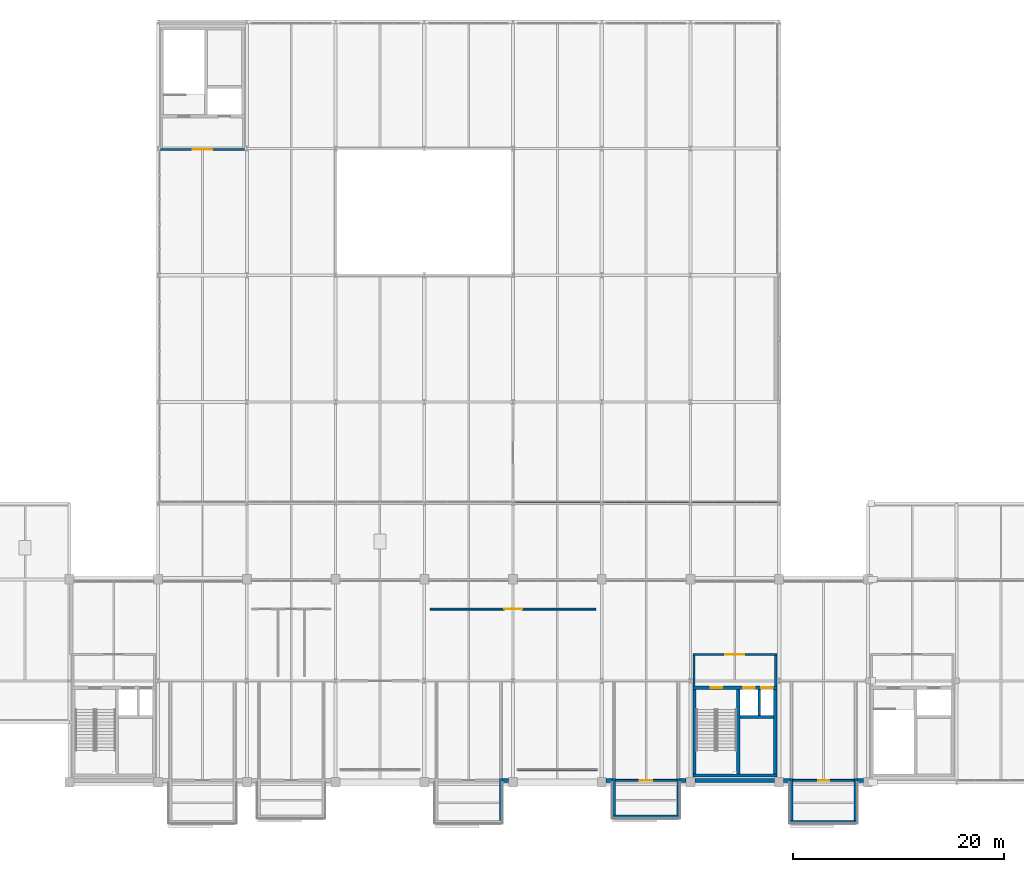
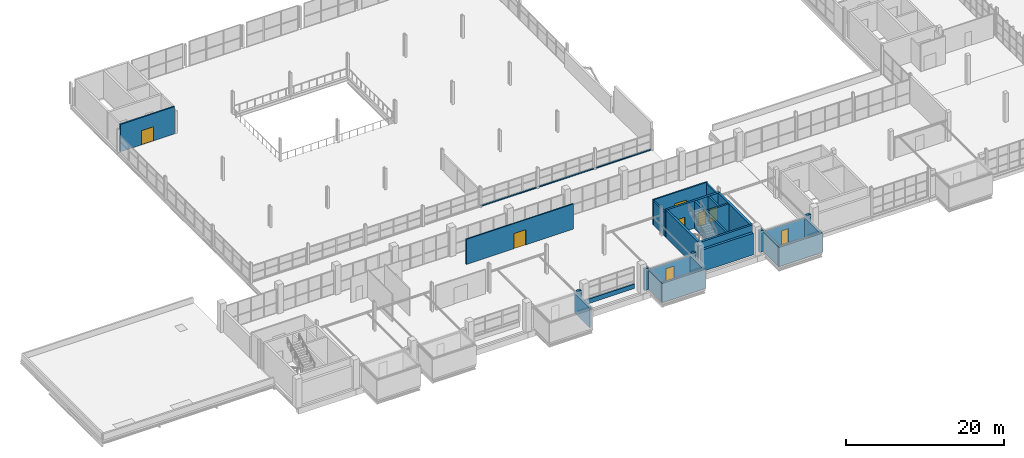
# One storey, part 93 of 103: 31 walls, 8 doors, 8 openings.
"""IFC4 building model written with IfcOpenShell, lengths in metres."""

from ifc_helpers import new_model, si_unit, direction, frame, frame_2d, origin, place, context, subcontext, project, spatial, rectangle, extrude, material, layer, layer_set, type_object, element, fill, save


model = new_model("IFC4")

# Units and contexts
model_context = context("Model", 3, precision=1e-05, world=origin(), true_north=direction((0.0, 1.0)))
body_context = subcontext(model_context, "Body", "Model", "MODEL_VIEW")
ifc_project = project(units=[si_unit("LENGTHUNIT", "METRE"), si_unit("AREAUNIT", "SQUARE_METRE"), si_unit("VOLUMEUNIT", "CUBIC_METRE"), si_unit("PLANEANGLEUNIT", "RADIAN"), si_unit("MASSUNIT", "GRAM", prefix="KILO")], contexts=[model_context])

# Site, building, storey
site_placement = place(None, origin())
site = spatial("IfcSite", under=ifc_project, at=site_placement, CompositionType="ELEMENT")
building_placement = place(site_placement, origin())
building = spatial("IfcBuilding", under=site, at=building_placement, Name="Veltarok Museum of Natural Sciences", CompositionType="ELEMENT")
storey_placement = place(building_placement, frame((0.0, 0.0, 21.89990234375)))
storey = spatial("IfcBuildingStorey", under=building, at=storey_placement, Name="L04", CompositionType="ELEMENT", Elevation=21.89990234375)

# Walls
ifc_material_1 = material(Name="Precast concrete C40/50", Category="concrete")
ifc_layer_1 = layer(ifc_material_1, 0.280029296875)
ifc_layer_set_1 = layer_set([ifc_layer_1], Name="Precast concrete C40/50")
wall_type_1 = type_object("IfcWallType", Name="Cabinet Box Insulated Backup Wall 280", PredefinedType="SOLIDWALL", material=ifc_layer_set_1)
wall_1_placement = place(storey_placement, frame((83.0, -3.260009765625, 0.0), z_axis=(0.0, 0.0, 1.0), x_axis=(1.0, 0.0, 0.0)))
element("IfcWall", 1, at=wall_1_placement, inside=storey, type_object=wall_type_1, Name="Cabinet Box Wall DB-22-S", PredefinedType="SOLIDWALL", context=body_context, shape_type="SweptSolid", body=[
    extrude(rectangle(XDim=6.39990234375, YDim=0.280029296875, at=frame_2d((3.199951171875, 0.0))), origin(), (0.0, 0.0, 1.0), 2.989990234375),
])
for number, where, z_axis, x_axis, name in (
    (2, (83.139892578125, 0.360107421875, 0.0), (0.0, 0.0, 1.0), (0.0, -1.0, 0.0), "Cabinet Box Wall DB-22-W"),
    (3, (89.260009765625, -3.1201171875, 0.0), (0.0, 0.0, 1.0), (0.0, 1.0, 0.0), "Cabinet Box Wall DB-22-E"),
):
    element("IfcWall", number, at=place(storey_placement, frame(where, z_axis=z_axis, x_axis=x_axis)), inside=storey, type_object=wall_type_1, Name=name, PredefinedType="SOLIDWALL", context=body_context, shape_type="SweptSolid", body=[
        extrude(rectangle(XDim=3.480224609375, YDim=0.280029296875, at=frame_2d((1.740234375, 0.0))), origin(), (0.0, 0.0, 1.0), 2.989990234375),
    ])
ifc_layer_2 = layer(ifc_material_1, 0.300048828125)
ifc_layer_set_2 = layer_set([ifc_layer_2], Name="Precast concrete C40/50")
wall_type_2 = type_object("IfcWallType", Name="Deep Cabinet Box Insulated Wall 300", PredefinedType="SOLIDWALL", material=ifc_layer_set_2)
wall_2_placement = place(storey_placement, frame((72.449951171875, -3.60009765625, 0.0), z_axis=(0.0, 0.0, 1.0), x_axis=(0.0, 1.0, 0.0)))
element("IfcWall", 4, at=wall_2_placement, inside=storey, type_object=wall_type_2, Name="Cabinet Box Wall DB-21-E", PredefinedType="SOLIDWALL", context=body_context, shape_type="SweptSolid", body=[
    extrude(rectangle(XDim=3.960205078125, YDim=0.300048828125, at=frame_2d((1.97998046875, 0.0))), origin(), (0.0, 0.0, 1.0), 2.989990234375),
])
wall_3_placement = place(storey_placement, frame((99.800048828125, -3.75, 0.0), z_axis=(0.0, 0.0, 1.0), x_axis=(1.0, 0.0, 0.0)))
element("IfcWall", 5, at=wall_3_placement, inside=storey, type_object=wall_type_2, Name="Cabinet Box Wall DB-23-S", PredefinedType="SOLIDWALL", context=body_context, shape_type="SweptSolid", body=[
    extrude(rectangle(XDim=6.39990234375, YDim=0.300048828125, at=frame_2d((3.199951171875, 0.0))), origin(), (0.0, 0.0, 1.0), 2.989990234375),
])
for number, where, z_axis, x_axis, name in (
    (6, (99.949951171875, 0.360107421875, 0.0), (0.0, 0.0, 1.0), (0.0, -1.0, 0.0), "Cabinet Box Wall DB-23-W"),
    (7, (106.050048828125, -3.60009765625, 0.0), (0.0, 0.0, 1.0), (0.0, 1.0, 0.0), "Cabinet Box Wall DB-23-E"),
):
    element("IfcWall", number, at=place(storey_placement, frame(where, z_axis=z_axis, x_axis=x_axis)), inside=storey, type_object=wall_type_2, Name=name, PredefinedType="SOLIDWALL", context=body_context, shape_type="SweptSolid", body=[
        extrude(rectangle(XDim=3.960205078125, YDim=0.300048828125, at=frame_2d((1.97998046875, 0.0))), origin(), (0.0, 0.0, 1.0), 2.989990234375),
    ])

# Wall, opening, door
ifc_material_2 = material(Name="Acoustic gypsum and mineral wool")
ifc_layer_3 = layer(ifc_material_2, 0.179931640625)
ifc_layer_set_3 = layer_set([ifc_layer_3], Name="Acoustic gypsum and mineral wool")
wall_type_3 = type_object("IfcWallType", Name="Exhibition Gallery Partition 180", PredefinedType="PARTITIONING", material=ifc_layer_set_3)
wall_4_placement = place(storey_placement, frame((83.280029296875, 0.179931640625, 0.0), z_axis=(0.0, 0.0, 1.0), x_axis=(1.0, 0.0, 0.0)))
wall_4 = element("IfcWall", 8, at=wall_4_placement, inside=storey, type_object=wall_type_3, Name="Cabinet Threshold Partition DB-22", PredefinedType="PARTITIONING", context=body_context, shape_type="SweptSolid", body=[
    extrude(rectangle(XDim=5.840087890625, YDim=0.179931640625, at=frame_2d((2.919921875, 0.0))), origin(), (0.0, 0.0, 1.0), 2.989990234375),
])
opening_1_placement = place(wall_4_placement, frame((2.330078125, 0.0, 0.0)))
opening_1 = element("IfcOpeningElement", 9, at=opening_1_placement, cuts=wall_4, Name="Opening D-L04-093", PredefinedType="OPENING", context=body_context, shape_type="SweptSolid", body=[
    extrude(rectangle(XDim=1.179931640625, YDim=2.25, at=frame_2d((0.58984375, 1.125))), frame((0.0, 0.10009765625, 0.0), z_axis=(0.0, -1.0, 0.0), x_axis=(1.0, 0.0, 0.0)), (0.0, 0.0, 1.0), 0.199951171875),
])
ifc_material_3 = material(Name="Airtight powder-coated steel", Category="steel")
door_type_1 = type_object("IfcDoorType", Name="Large Cabinet Conservation Door 1180x2250", OperationType="NOTDEFINED", PredefinedType="DOOR", material=ifc_material_3)
door_1_placement = place(opening_1_placement, origin())
door_1 = element("IfcDoor", 10, at=door_1_placement, inside=storey, type_object=door_type_1, Name="Cabinet Conservation Door DB-22", OperationType="SINGLE_SWING_LEFT", OverallHeight=2.25, OverallWidth=1.179931640625, PredefinedType="DOOR", context=body_context, shape_type="SweptSolid", body=[
    extrude(rectangle(XDim=1.179931640625, YDim=2.25, at=frame_2d((0.58984375, 1.125))), frame((0.0, 0.02490234375, 0.0), z_axis=(0.0, -1.0, 0.0), x_axis=(1.0, 0.0, 0.0)), (0.0, 0.0, 1.0), 0.050048828125),
])
fill(opening_1, door_1)

wall_5_placement = place(storey_placement, frame((100.10009765625, 0.179931640625, 0.0), z_axis=(0.0, 0.0, 1.0), x_axis=(1.0, 0.0, 0.0)))
wall_5 = element("IfcWall", 11, at=wall_5_placement, inside=storey, type_object=wall_type_3, Name="Cabinet Threshold Partition DB-23", PredefinedType="PARTITIONING", context=body_context, shape_type="SweptSolid", body=[
    extrude(rectangle(XDim=5.7998046875, YDim=0.179931640625, at=frame_2d((2.89990234375, 0.0))), origin(), (0.0, 0.0, 1.0), 2.989990234375),
])
opening_2_placement = place(wall_5_placement, frame((2.3798828125, 0.0, 0.0)))
opening_2 = element("IfcOpeningElement", 12, at=opening_2_placement, cuts=wall_5, Name="Opening D-L04-094", PredefinedType="OPENING", context=body_context, shape_type="SweptSolid", body=[
    extrude(rectangle(XDim=1.0400390625, YDim=2.179931640625, at=frame_2d((0.52001953125, 1.08984375))), frame((0.0, 0.10009765625, 0.0), z_axis=(0.0, -1.0, 0.0), x_axis=(1.0, 0.0, 0.0)), (0.0, 0.0, 1.0), 0.199951171875),
])
door_type_2 = type_object("IfcDoorType", Name="Compact Cabinet Conservation Door 1040x2180", OperationType="NOTDEFINED", PredefinedType="DOOR", material=ifc_material_3)
door_2_placement = place(opening_2_placement, origin())
door_2 = element("IfcDoor", 13, at=door_2_placement, inside=storey, type_object=door_type_2, Name="Cabinet Conservation Door DB-23", OperationType="SINGLE_SWING_RIGHT", OverallHeight=2.179931640625, OverallWidth=1.0400390625, PredefinedType="DOOR", context=body_context, shape_type="SweptSolid", body=[
    extrude(rectangle(XDim=1.0400390625, YDim=2.179931640625, at=frame_2d((0.52001953125, 1.08984375))), frame((0.0, 0.02490234375, 0.0), z_axis=(0.0, -1.0, 0.0), x_axis=(1.0, 0.0, 0.0)), (0.0, 0.0, 1.0), 0.050048828125),
])
fill(opening_2, door_2)

wall_6_placement = place(storey_placement, frame((65.75, 16.39990234375, 0.0), z_axis=(0.0, 0.0, 1.0), x_axis=(1.0, 0.0, 0.0)))
wall_6 = element("IfcWall", 14, at=wall_6_placement, inside=storey, type_object=wall_type_3, Name="Interior Partition L04-054", PredefinedType="PARTITIONING", context=body_context, shape_type="SweptSolid", body=[
    extrude(rectangle(XDim=15.699951171875, YDim=0.179931640625, at=frame_2d((7.85009765625, 0.0))), origin(), (0.0, 0.0, 1.0), 3.902099609375),
])
opening_3_placement = place(wall_6_placement, frame((7.0, 0.0, 0.0)))
opening_3 = element("IfcOpeningElement", 15, at=opening_3_placement, cuts=wall_6, Name="Opening D-L04-180", PredefinedType="OPENING", context=body_context, shape_type="SweptSolid", body=[
    extrude(rectangle(XDim=1.699951171875, YDim=2.35009765625, at=frame_2d((0.85009765625, 1.175048828125))), frame((0.0, 0.10009765625, 0.0), z_axis=(0.0, -1.0, 0.0), x_axis=(1.0, 0.0, 0.0)), (0.0, 0.0, 1.0), 0.199951171875),
])
ifc_material_4 = material(Name="Solid European oak and safety glass", Category="glass")
door_type_3 = type_object("IfcDoorType", Name="Gallery Interconnecting Double Door 1700x2350", OperationType="NOTDEFINED", PredefinedType="DOOR", material=ifc_material_4)
door_3_placement = place(opening_3_placement, origin())
door_3 = element("IfcDoor", 16, at=door_3_placement, inside=storey, type_object=door_type_3, Name="Interior Door D-L04-180", OperationType="DOUBLE_DOOR_SINGLE_SWING", OverallHeight=2.35009765625, OverallWidth=1.699951171875, PredefinedType="DOOR", context=body_context, shape_type="SweptSolid", body=[
    extrude(rectangle(XDim=1.699951171875, YDim=2.35009765625, at=frame_2d((0.85009765625, 1.175048828125))), frame((0.0, 0.02490234375, 0.0), z_axis=(0.0, -1.0, 0.0), x_axis=(1.0, 0.0, 0.0)), (0.0, 0.0, 1.0), 0.050048828125),
])
fill(opening_3, door_3)

# Walls
ifc_material_5 = material(Name="Concrete C40/50", Category="concrete")
ifc_layer_4 = layer(ifc_material_5, 0.360107421875)
ifc_layer_set_4 = layer_set([ifc_layer_4], Name="Concrete C40/50")
wall_type_4 = type_object("IfcWallType", Name="Exposed Architectural Concrete Facade Wall 360", PredefinedType="SOLIDWALL", material=ifc_layer_set_4)
for number, where, z_axis, x_axis, name in (
    (17, (72.60009765625, 0.179931640625, 0.0), (0.0, 0.0, 1.0), (1.0, 0.0, 0.0), "Cabinet Collar Wall L04 8-9R"),
    (18, (82.425048828125, 0.179931640625, 0.0), (0.0, 0.0, 1.0), (1.0, 0.0, 0.0), "Cabinet Collar Wall L04 10-11L"),
):
    element("IfcWall", number, at=place(storey_placement, frame(where, z_axis=z_axis, x_axis=x_axis)), inside=storey, type_object=wall_type_4, Name=name, PredefinedType="SOLIDWALL", context=body_context, shape_type="SweptSolid", body=[
        extrude(rectangle(XDim=0.574951171875, YDim=0.360107421875, at=frame_2d((0.28759765625, 0.0))), origin(), (0.0, 0.0, 1.0), 3.335205078125),
    ])
wall_7_placement = place(storey_placement, frame((89.39990234375, 0.179931640625, 0.0), z_axis=(0.0, 0.0, 1.0), x_axis=(1.0, 0.0, 0.0)))
element("IfcWall", 19, at=wall_7_placement, inside=storey, type_object=wall_type_4, Name="Cabinet Collar Wall L04 10-11R", PredefinedType="SOLIDWALL", context=body_context, shape_type="SweptSolid", body=[
    extrude(rectangle(XDim=0.5751953125, YDim=0.360107421875, at=frame_2d((0.28759765625, 0.0))), origin(), (0.0, 0.0, 1.0), 3.335205078125),
])
wall_8_placement = place(storey_placement, frame((90.824951171875, 0.179931640625, 0.0), z_axis=(0.0, 0.0, 1.0), x_axis=(1.0, 0.0, 0.0)))
element("IfcWall", 20, at=wall_8_placement, inside=storey, type_object=wall_type_4, Name="South Core Facade Wall L04 11-12", PredefinedType="SOLIDWALL", context=body_context, shape_type="SweptSolid", body=[
    extrude(rectangle(XDim=7.550048828125, YDim=0.360107421875, at=frame_2d((3.77490234375, 0.0))), origin(), (0.0, 0.0, 1.0), 3.335205078125),
])
for number, where, z_axis, x_axis, name in (
    (21, (99.22509765625, 0.179931640625, 0.0), (0.0, 0.0, 1.0), (1.0, 0.0, 0.0), "Cabinet Collar Wall L04 12-13L"),
    (22, (106.199951171875, 0.179931640625, 0.0), (0.0, 0.0, 1.0), (1.0, 0.0, 0.0), "Cabinet Collar Wall L04 12-13R"),
):
    element("IfcWall", number, at=place(storey_placement, frame(where, z_axis=z_axis, x_axis=x_axis)), inside=storey, type_object=wall_type_4, Name=name, PredefinedType="SOLIDWALL", context=body_context, shape_type="SweptSolid", body=[
        extrude(rectangle(XDim=0.574951171875, YDim=0.360107421875, at=frame_2d((0.28759765625, 0.0))), origin(), (0.0, 0.0, 1.0), 3.335205078125),
    ])

# Wall, opening, door
ifc_material_6 = material(Name="Concrete C35/45", Category="concrete")
ifc_layer_5 = layer(ifc_material_6, 0.199951171875)
ifc_layer_set_5 = layer_set([ifc_layer_5], Name="Concrete C35/45")
wall_type_5 = type_object("IfcWallType", Name="Firefighting Lobby Compartment Wall 200", PredefinedType="SOLIDWALL", material=ifc_layer_set_5)
wall_9_placement = place(storey_placement, frame((90.6298828125, 12.10009765625, 0.0), z_axis=(0.0, 0.0, 1.0), x_axis=(1.0, 0.0, 0.0)))
wall_9 = element("IfcWall", 23, at=wall_9_placement, inside=storey, type_object=wall_type_5, Name="Firefighting Lobby Wall C2 L04 N", PredefinedType="SOLIDWALL", context=body_context, shape_type="SweptSolid", body=[
    extrude(rectangle(XDim=7.940185546875, YDim=0.199951171875, at=frame_2d((3.97021484375, 0.0))), origin(), (0.0, 0.0, 1.0), 3.902099609375),
])
opening_4_placement = place(wall_9_placement, frame((3.070068359375, 0.0, 0.0)))
opening_4 = element("IfcOpeningElement", 24, at=opening_4_placement, cuts=wall_9, Name="Opening D-L04-060", PredefinedType="OPENING", context=body_context, shape_type="SweptSolid", body=[
    extrude(rectangle(XDim=1.800048828125, YDim=2.199951171875, at=frame_2d((0.89990234375, 1.10009765625))), frame((0.0, 0.10986328125, 0.0), z_axis=(0.0, -1.0, 0.0), x_axis=(1.0, 0.0, 0.0)), (0.0, 0.0, 1.0), 0.219970703125),
])
ifc_material_7 = material(Name="Fire-rated steel and vision glass", Category="steel")
door_type_4 = type_object("IfcDoorType", Name="Fire Lobby Double Door 1800x2200", OperationType="NOTDEFINED", PredefinedType="DOOR", material=ifc_material_7)
door_4_placement = place(opening_4_placement, origin())
door_4 = element("IfcDoor", 25, at=door_4_placement, inside=storey, type_object=door_type_4, Name="Firefighting Lobby Entrance Door C2 L04", OperationType="DOUBLE_DOOR_SINGLE_SWING", OverallHeight=2.199951171875, OverallWidth=1.800048828125, PredefinedType="DOOR", context=body_context, shape_type="SweptSolid", body=[
    extrude(rectangle(XDim=1.800048828125, YDim=2.199951171875, at=frame_2d((0.89990234375, 1.10009765625))), frame((0.0, 0.02490234375, 0.0), z_axis=(0.0, -1.0, 0.0), x_axis=(1.0, 0.0, 0.0)), (0.0, 0.0, 1.0), 0.050048828125),
])
fill(opening_4, door_4)

# Walls
for number, where, z_axis, x_axis, name in (
    (26, (90.72998046875, 9.10009765625, 0.0), (0.0, 0.0, 1.0), (0.0, 1.0, 0.0), "Firefighting Lobby Wall C2 L04 W"),
    (27, (98.469970703125, 12.0, 0.0), (0.0, 0.0, 1.0), (0.0, -1.0, 0.0), "Firefighting Lobby Wall C2 L04 E"),
):
    element("IfcWall", number, at=place(storey_placement, frame(where, z_axis=z_axis, x_axis=x_axis)), inside=storey, type_object=wall_type_5, Name=name, PredefinedType="SOLIDWALL", context=body_context, shape_type="SweptSolid", body=[
        extrude(rectangle(XDim=2.89990234375, YDim=0.199951171875, at=frame_2d((1.449951171875, 0.0))), origin(), (0.0, 0.0, 1.0), 3.732177734375),
    ])

# Wall, opening, door
wall_10_placement = place(storey_placement, frame((48.169921875, 59.89990234375, 0.0), z_axis=(0.0, 0.0, 1.0), x_axis=(-1.0, 0.0, 0.0)))
wall_10 = element("IfcWall", 28, at=wall_10_placement, inside=storey, type_object=wall_type_5, Name="Firefighting Lobby Wall C3 L04 S", PredefinedType="SOLIDWALL", context=body_context, shape_type="SweptSolid", body=[
    extrude(rectangle(XDim=7.93994140625, YDim=0.199951171875, at=frame_2d((3.969970703125, 0.0))), origin(), (0.0, 0.0, 1.0), 4.235107421875),
])
opening_5_placement = place(wall_10_placement, frame((3.070068359375, 0.0, 0.0)))
opening_5 = element("IfcOpeningElement", 29, at=opening_5_placement, cuts=wall_10, Name="Opening D-L04-062", PredefinedType="OPENING", context=body_context, shape_type="SweptSolid", body=[
    extrude(rectangle(XDim=1.800048828125, YDim=2.199951171875, at=frame_2d((0.89990234375, 1.10009765625))), frame((0.0, 0.10986328125, 0.0), z_axis=(0.0, -1.0, 0.0), x_axis=(1.0, 0.0, 0.0)), (0.0, 0.0, 1.0), 0.219970703125),
])
door_5_placement = place(opening_5_placement, origin())
door_5 = element("IfcDoor", 30, at=door_5_placement, inside=storey, type_object=door_type_4, Name="Firefighting Lobby Entrance Door C3 L04", OperationType="DOUBLE_DOOR_SINGLE_SWING", OverallHeight=2.199951171875, OverallWidth=1.800048828125, PredefinedType="DOOR", context=body_context, shape_type="SweptSolid", body=[
    extrude(rectangle(XDim=1.800048828125, YDim=2.199951171875, at=frame_2d((0.89990234375, 1.10009765625))), frame((0.0, 0.02490234375, 0.0), z_axis=(0.0, -1.0, 0.0), x_axis=(1.0, 0.0, 0.0)), (0.0, 0.0, 1.0), 0.050048828125),
])
fill(opening_5, door_5)

# Walls
ifc_layer_6 = layer(ifc_material_5, 0.25)
ifc_layer_set_6 = layer_set([ifc_layer_6], Name="Concrete C40/50")
wall_type_6 = type_object("IfcWallType", Name="Lift Shaft Concrete Shear Wall 250", PredefinedType="SHEAR", material=ifc_layer_set_6)
wall_11_placement = place(storey_placement, frame((96.9150390625, 6.300048828125, 0.0), z_axis=(0.0, 0.0, 1.0), x_axis=(0.0, 1.0, 0.0)))
element("IfcWall", 31, at=wall_11_placement, inside=storey, type_object=wall_type_6, Name="Lift Shaft Divider Wall C2 L04", PredefinedType="SHEAR", context=body_context, shape_type="SweptSolid", body=[
    extrude(rectangle(XDim=2.5, YDim=0.25, at=frame_2d((1.25, 0.0))), origin(), (0.0, 0.0, 1.0), 4.25),
])
wall_12_placement = place(storey_placement, frame((95.070068359375, 6.175048828125, 0.0), z_axis=(0.0, 0.0, 1.0), x_axis=(1.0, 0.0, 0.0)))
element("IfcWall", 32, at=wall_12_placement, inside=storey, type_object=wall_type_6, Name="Lift Shaft Back Wall C2 L04", PredefinedType="SHEAR", context=body_context, shape_type="SweptSolid", body=[
    extrude(rectangle(XDim=3.199951171875, YDim=0.25, at=frame_2d((1.60009765625, 0.0))), origin(), (0.0, 0.0, 1.0), 4.25),
])
ifc_layer_7 = layer(ifc_material_5, 0.300048828125)
ifc_layer_set_7 = layer_set([ifc_layer_7], Name="Concrete C40/50")
wall_type_7 = type_object("IfcWallType", Name="Protected Core Shear Wall 300", PredefinedType="SHEAR", material=ifc_layer_set_7)
wall_13_placement = place(storey_placement, frame((90.6298828125, 0.64990234375, 0.0), z_axis=(0.0, 0.0, 1.0), x_axis=(1.0, 0.0, 0.0)))
element("IfcWall", 33, at=wall_13_placement, inside=storey, type_object=wall_type_7, Name="Core Shear Wall C2 L04 S", PredefinedType="SHEAR", context=body_context, shape_type="SweptSolid", body=[
    extrude(rectangle(XDim=7.940185546875, YDim=0.300048828125, at=frame_2d((3.97021484375, 0.0))), origin(), (0.0, 0.0, 1.0), 4.25),
])

# Wall, openings, doors
wall_14_placement = place(storey_placement, frame((98.570068359375, 8.949951171875, 0.0), z_axis=(0.0, 0.0, 1.0), x_axis=(-1.0, 0.0, 0.0)))
wall_14 = element("IfcWall", 34, at=wall_14_placement, inside=storey, type_object=wall_type_7, Name="Core Shear Wall C2 L04 N", PredefinedType="SHEAR", context=body_context, shape_type="SweptSolid", body=[
    extrude(rectangle(XDim=7.940185546875, YDim=0.300048828125, at=frame_2d((3.97021484375, 0.0))), origin(), (0.0, 0.0, 1.0), 4.25),
])
opening_6_placement = place(wall_14_placement, frame((5.169921875, 0.0, 0.0)))
opening_6 = element("IfcOpeningElement", 35, at=opening_6_placement, cuts=wall_14, Name="Opening D-L04-059", PredefinedType="OPENING", context=body_context, shape_type="SweptSolid", body=[
    extrude(rectangle(XDim=1.10009765625, YDim=2.199951171875, at=frame_2d((0.550048828125, 1.10009765625))), frame((0.0, 0.16015625, 0.0), z_axis=(0.0, -1.0, 0.0), x_axis=(1.0, 0.0, 0.0)), (0.0, 0.0, 1.0), 0.320068359375),
])
opening_7_placement = place(wall_14_placement, frame((2.090087890625, 0.0, 0.0)))
opening_7 = element("IfcOpeningElement", 36, at=opening_7_placement, cuts=wall_14, Name="Opening LD-L04-LP-02", PredefinedType="OPENING", context=body_context, shape_type="SweptSolid", body=[
    extrude(rectangle(XDim=1.10009765625, YDim=2.10009765625, at=frame_2d((0.550048828125, 1.050048828125))), frame((0.0, 0.16015625, 0.0), z_axis=(0.0, -1.0, 0.0), x_axis=(1.0, 0.0, 0.0)), (0.0, 0.0, 1.0), 0.320068359375),
])
opening_8_placement = place(wall_14_placement, frame((0.364990234375, 0.0, 0.0)))
opening_8 = element("IfcOpeningElement", 37, at=opening_8_placement, cuts=wall_14, Name="Opening LD-L04-FL-02", PredefinedType="OPENING", context=body_context, shape_type="SweptSolid", body=[
    extrude(rectangle(XDim=1.10009765625, YDim=2.10009765625, at=frame_2d((0.550048828125, 1.050048828125))), frame((0.0, 0.16015625, 0.0), z_axis=(0.0, -1.0, 0.0), x_axis=(1.0, 0.0, 0.0)), (0.0, 0.0, 1.0), 0.320068359375),
])
ifc_material_8 = material(Name="Fire-rated painted steel", Category="steel")
door_type_5 = type_object("IfcDoorType", Name="Fire Core Single Escape Door 1100x2200", OperationType="NOTDEFINED", PredefinedType="DOOR", material=ifc_material_8)
door_6_placement = place(opening_6_placement, origin())
door_6 = element("IfcDoor", 38, at=door_6_placement, inside=storey, type_object=door_type_5, Name="Protected Stair Door ST-02 L04", OperationType="SINGLE_SWING_RIGHT", OverallHeight=2.199951171875, OverallWidth=1.10009765625, PredefinedType="DOOR", context=body_context, shape_type="SweptSolid", body=[
    extrude(rectangle(XDim=1.10009765625, YDim=2.199951171875, at=frame_2d((0.550048828125, 1.10009765625))), frame((0.0, 0.02490234375, 0.0), z_axis=(0.0, -1.0, 0.0), x_axis=(1.0, 0.0, 0.0)), (0.0, 0.0, 1.0), 0.050048828125),
])
fill(opening_6, door_6)
ifc_material_9 = material(Name="Brushed stainless steel", Category="steel")
door_type_6 = type_object("IfcDoorType", Name="Passenger and Firefighting Lift Landing Door 1100x2100", OperationType="SLIDING_TO_LEFT", PredefinedType="DOOR", material=ifc_material_9)
door_7_placement = place(opening_7_placement, origin())
door_7 = element("IfcDoor", 39, at=door_7_placement, inside=storey, type_object=door_type_6, Name="Sliding Lift Landing Door LD-L04-LP-02", OperationType="SLIDING_TO_LEFT", OverallHeight=2.10009765625, OverallWidth=1.10009765625, PredefinedType="DOOR", context=body_context, shape_type="SweptSolid", body=[
    extrude(rectangle(XDim=1.10009765625, YDim=2.10009765625, at=frame_2d((0.550048828125, 1.050048828125))), frame((0.0, 0.02490234375, 0.0), z_axis=(0.0, -1.0, 0.0), x_axis=(1.0, 0.0, 0.0)), (0.0, 0.0, 1.0), 0.050048828125),
])
fill(opening_7, door_7)
door_8_placement = place(opening_8_placement, origin())
door_8 = element("IfcDoor", 40, at=door_8_placement, inside=storey, type_object=door_type_6, Name="Sliding Lift Landing Door LD-L04-FL-02", OperationType="SLIDING_TO_LEFT", OverallHeight=2.10009765625, OverallWidth=1.10009765625, PredefinedType="DOOR", context=body_context, shape_type="SweptSolid", body=[
    extrude(rectangle(XDim=1.10009765625, YDim=2.10009765625, at=frame_2d((0.550048828125, 1.050048828125))), frame((0.0, 0.02490234375, 0.0), z_axis=(0.0, -1.0, 0.0), x_axis=(1.0, 0.0, 0.0)), (0.0, 0.0, 1.0), 0.050048828125),
])
fill(opening_8, door_8)

# Walls
for number, where, z_axis, x_axis, name in (
    (41, (90.780029296875, 8.800048828125, 0.0), (0.0, 0.0, 1.0), (0.0, -1.0, 0.0), "Core Shear Wall C2 L04 W"),
    (42, (98.419921875, 0.800048828125, 0.0), (0.0, 0.0, 1.0), (0.0, 1.0, 0.0), "Core Shear Wall C2 L04 E"),
    (43, (94.919921875, 0.800048828125, 0.0), (0.0, 0.0, 1.0), (0.0, 1.0, 0.0), "Core Shear Wall C2 L04 DIV"),
):
    element("IfcWall", number, at=place(storey_placement, frame(where, z_axis=z_axis, x_axis=x_axis)), inside=storey, type_object=wall_type_7, Name=name, PredefinedType="SHEAR", context=body_context, shape_type="SweptSolid", body=[
        extrude(rectangle(XDim=8.0, YDim=0.300048828125, at=frame_2d((4.0, 0.0))), origin(), (0.0, 0.0, 1.0), 4.25),
    ])
ifc_layer_8 = layer(ifc_material_1, 0.219970703125)
ifc_layer_set_8 = layer_set([ifc_layer_8], Name="Precast concrete C40/50")
wall_type_8 = type_object("IfcWallType", Name="Terrace Upstand Curb Wall 220", PredefinedType="PARAPET", material=ifc_layer_set_8)
wall_15_placement = place(storey_placement, frame((74.02490234375, 1.199951171875, -0.001953125), z_axis=(0.0, 0.0, 1.0), x_axis=(1.0, 0.0, 0.0)))
element("IfcWall", 44, at=wall_15_placement, inside=storey, type_object=wall_type_8, Name="Curtain Wall Sill Upstand CW-0008", PredefinedType="PARAPET", context=body_context, shape_type="SweptSolid", body=[
    extrude(rectangle(XDim=7.550048828125, YDim=0.219970703125, at=frame_2d((3.77490234375, 0.0))), origin(), (0.0, 0.0, 1.0), 0.68603515625),
])
for number, where, z_axis, x_axis, name in (
    (45, (73.75, 26.550048828125, -0.001953125), (0.0, 0.0, 1.0), (1.0, 0.0, 0.0), "V2 South Setback Curb CW-0227"),
    (46, (82.14990234375, 26.550048828125, -0.001953125), (0.0, 0.0, 1.0), (1.0, 0.0, 0.0), "V2 South Setback Curb CW-0228"),
):
    element("IfcWall", number, at=place(storey_placement, frame(where, z_axis=z_axis, x_axis=x_axis)), inside=storey, type_object=wall_type_8, Name=name, PredefinedType="PARAPET", context=body_context, shape_type="SweptSolid", body=[
        extrude(rectangle(XDim=8.10009765625, YDim=0.219970703125, at=frame_2d((4.050048828125, 0.0))), origin(), (0.0, 0.0, 1.0), 0.166015625),
    ])
wall_16_placement = place(storey_placement, frame((90.550048828125, 26.550048828125, -0.001953125), z_axis=(0.0, 0.0, 1.0), x_axis=(1.0, 0.0, 0.0)))
element("IfcWall", 47, at=wall_16_placement, inside=storey, type_object=wall_type_8, Name="V2 South Setback Curb CW-0229", PredefinedType="PARAPET", context=body_context, shape_type="SweptSolid", body=[
    extrude(rectangle(XDim=8.099853515625, YDim=0.219970703125, at=frame_2d((4.0498046875, 0.0))), origin(), (0.0, 0.0, 1.0), 0.166015625),
])

save(model, "model.ifc")
